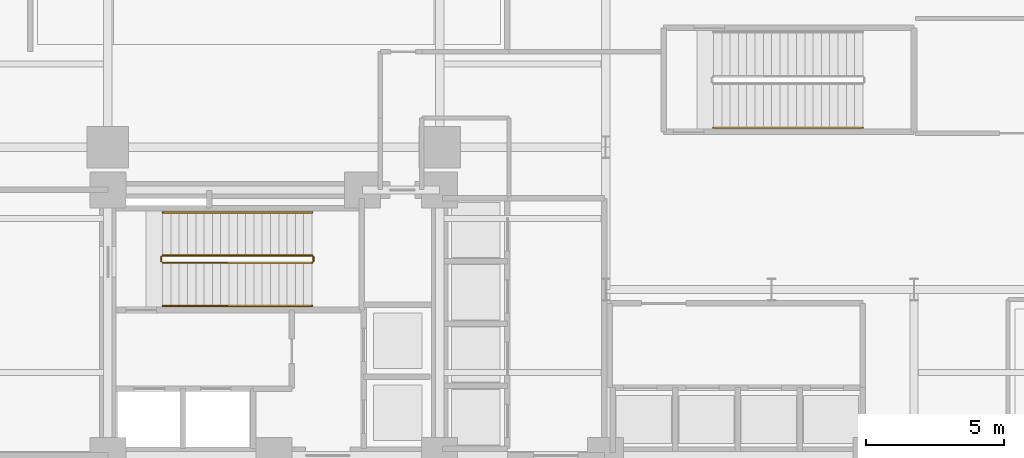
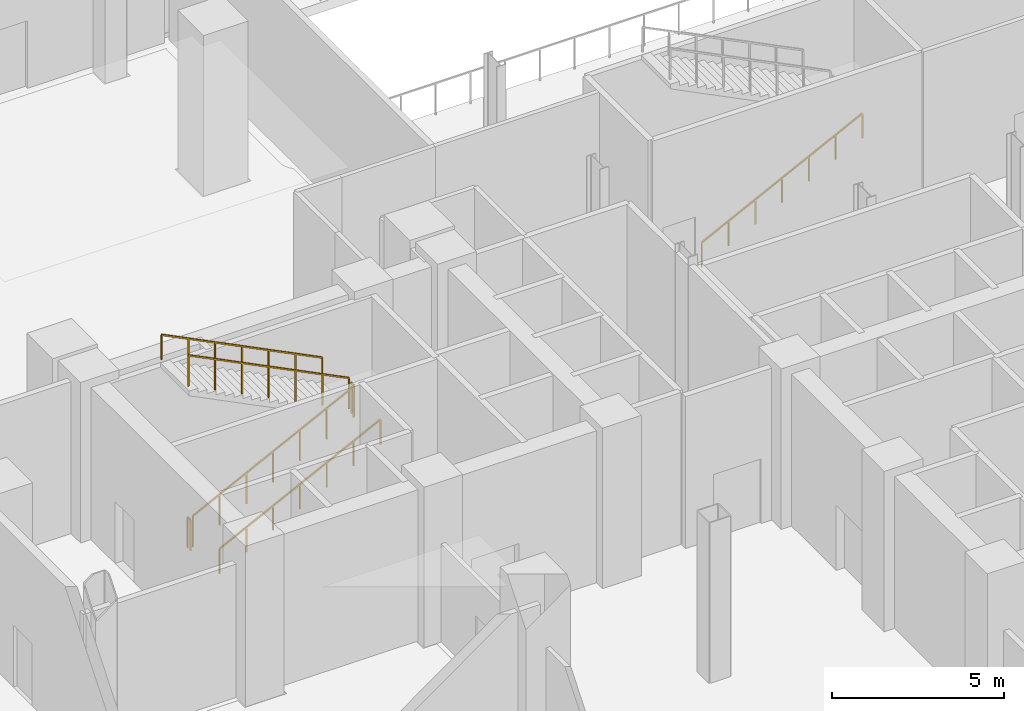
# One storey, part 23 of 27: 7 railings.
"""IFC4 building model written with IfcOpenShell, lengths in metres."""

from ifc_helpers import new_model, si_unit, direction, frame, origin, origin_2d, place, context, subcontext, project, spatial, rectangle, extrude, material, type_object, element, save


model = new_model("IFC4")

# Units and contexts
model_context = context("Model", 3, precision=1e-05, world=origin(), true_north=direction((0.0, 1.0)))
body_context = subcontext(model_context, "Body", "Model", "MODEL_VIEW")
ifc_project = project(units=[si_unit("LENGTHUNIT", "METRE"), si_unit("AREAUNIT", "SQUARE_METRE"), si_unit("VOLUMEUNIT", "CUBIC_METRE"), si_unit("PLANEANGLEUNIT", "RADIAN"), si_unit("MASSUNIT", "GRAM", prefix="KILO"), si_unit("THERMODYNAMICTEMPERATUREUNIT", "KELVIN"), si_unit("POWERUNIT", "WATT")], contexts=[model_context])

# Site, building, storey
site_placement = place(None, origin())
site = spatial("IfcSite", under=ifc_project, at=site_placement, CompositionType="ELEMENT")
building_placement = place(site_placement, origin())
building = spatial("IfcBuilding", under=site, at=building_placement, Name="Svarakhadi Broadcast Tower", CompositionType="ELEMENT")
storey_placement = place(building_placement, origin())
storey = spatial("IfcBuildingStorey", under=building, at=storey_placement, Name="L00", CompositionType="ELEMENT", Elevation=0.0)

# Railings
ifc_material = material(Name="Anodised Bronze Aluminium AA 6063-T6", Category="aluminium")
railing_type_1 = type_object("IfcRailingType", Name="Guard_Stair_GR01", PredefinedType="GUARDRAIL", material=ifc_material)
railing_1_placement = place(storey_placement, frame((7.97998046875, 24.969970703125, 0.14990234375)))
element("IfcRailing", 1, at=railing_1_placement, inside=storey, type_object=railing_type_1, Name="L00 ST-01 stair guard 1", PredefinedType="GUARDRAIL", context=body_context, shape_type="SweptSolid", body=[
    extrude(rectangle(XDim=0.048095703125, YDim=0.048095703125, at=origin_2d()), frame((0.0, 0.0, 1.09619140625), z_axis=(0.894411015155, 0.0, 0.447245945728), x_axis=(0.0, 1.0, 0.0)), (0.0, 0.0, 1.0), 6.037353515625),
    extrude(rectangle(XDim=0.0419921875, YDim=0.0419921875, at=origin_2d()), origin(), (0.0, 0.0, 1.0), 1.072021484375),
    extrude(rectangle(XDim=0.0419921875, YDim=0.0419921875, at=origin_2d()), frame((0.89990234375, 0.0, 0.449951171875)), (0.0, 0.0, 1.0), 1.072021484375),
    extrude(rectangle(XDim=0.0419921875, YDim=0.0419921875, at=origin_2d()), frame((1.800048828125, 0.0, 0.900146484375)), (0.0, 0.0, 1.0), 1.072021484375),
    extrude(rectangle(XDim=0.0419921875, YDim=0.0419921875, at=origin_2d()), frame((2.699951171875, 0.0, 1.35009765625)), (0.0, 0.0, 1.0), 1.072021484375),
    extrude(rectangle(XDim=0.0419921875, YDim=0.0419921875, at=origin_2d()), frame((3.599853515625, 0.0, 1.800048828125)), (0.0, 0.0, 1.0), 1.072021484375),
    extrude(rectangle(XDim=0.0419921875, YDim=0.0419921875, at=origin_2d()), frame((4.5, 0.0, 2.250244140625)), (0.0, 0.0, 1.0), 1.072021484375),
    extrude(rectangle(XDim=0.0419921875, YDim=0.0419921875, at=origin_2d()), frame((5.39990234375, 0.0, 2.7001953125)), (0.0, 0.0, 1.0), 1.072021484375),
])
railing_2_placement = place(storey_placement, frame((13.429931640625, 25.02001953125, 2.85009765625)))
element("IfcRailing", 2, at=railing_2_placement, inside=storey, type_object=railing_type_1, Name="L00 ST-01 stair guard 2", PredefinedType="GUARDRAIL", context=body_context, shape_type="SweptSolid", body=[
    extrude(rectangle(XDim=0.048095703125, YDim=0.048095703125, at=origin_2d()), frame((0.0, 0.0, 1.09619140625), z_axis=(0.0, 1.0, 0.0), x_axis=(-1.0, 0.0, 0.0)), (0.0, 0.0, 1.0), 0.159912109375),
    extrude(rectangle(XDim=0.0419921875, YDim=0.0419921875, at=origin_2d()), origin(), (0.0, 0.0, 1.0), 1.072021484375),
    extrude(rectangle(XDim=0.0419921875, YDim=0.0419921875, at=origin_2d()), frame((0.0, 0.159912109375, 0.0)), (0.0, 0.0, 1.0), 1.072021484375),
])
railing_3_placement = place(storey_placement, frame((13.3798828125, 25.22998046875, 3.0)))
element("IfcRailing", 3, at=railing_3_placement, inside=storey, type_object=railing_type_1, Name="L00 ST-01 stair guard 3", PredefinedType="GUARDRAIL", context=body_context, shape_type="SweptSolid", body=[
    extrude(rectangle(XDim=0.048095703125, YDim=0.048095703125, at=origin_2d()), frame((0.0, 0.0, 1.09619140625), z_axis=(-0.894427191, 0.0, 0.4472135955), x_axis=(0.0, -1.0, 0.0)), (0.0, 0.0, 1.0), 6.037353515625),
    extrude(rectangle(XDim=0.0419921875, YDim=0.0419921875, at=origin_2d()), origin(), (0.0, 0.0, 1.0), 1.072021484375),
    extrude(rectangle(XDim=0.0419921875, YDim=0.0419921875, at=origin_2d()), frame((-0.89990234375, 0.0, 0.449951171875)), (0.0, 0.0, 1.0), 1.072021484375),
    extrude(rectangle(XDim=0.0419921875, YDim=0.0419921875, at=origin_2d()), frame((-1.800048828125, 0.0, 0.89990234375)), (0.0, 0.0, 1.0), 1.072021484375),
    extrude(rectangle(XDim=0.0419921875, YDim=0.0419921875, at=origin_2d()), frame((-2.699951171875, 0.0, 1.35009765625)), (0.0, 0.0, 1.0), 1.072021484375),
    extrude(rectangle(XDim=0.0419921875, YDim=0.0419921875, at=origin_2d()), frame((-3.599853515625, 0.0, 1.800048828125)), (0.0, 0.0, 1.0), 1.072021484375),
    extrude(rectangle(XDim=0.0419921875, YDim=0.0419921875, at=origin_2d()), frame((-4.5, 0.0, 2.25)), (0.0, 0.0, 1.0), 1.072021484375),
    extrude(rectangle(XDim=0.0419921875, YDim=0.0419921875, at=origin_2d()), frame((-5.39990234375, 0.0, 2.699951171875)), (0.0, 0.0, 1.0), 1.072021484375),
])
railing_4_placement = place(storey_placement, frame((7.929931640625, 25.02001953125, 0.0)))
element("IfcRailing", 4, at=railing_4_placement, inside=storey, type_object=railing_type_1, Name="L00 ST-01 stair guard 4", PredefinedType="GUARDRAIL", context=body_context, shape_type="SweptSolid", body=[
    extrude(rectangle(XDim=0.048095703125, YDim=0.048095703125, at=origin_2d()), frame((0.0, 0.0, 1.09619140625), z_axis=(0.0, 1.0, 0.0), x_axis=(-1.0, 0.0, 0.0)), (0.0, 0.0, 1.0), 0.159912109375),
    extrude(rectangle(XDim=0.0419921875, YDim=0.0419921875, at=origin_2d()), origin(), (0.0, 0.0, 1.0), 1.072021484375),
    extrude(rectangle(XDim=0.0419921875, YDim=0.0419921875, at=origin_2d()), frame((0.0, 0.159912109375, 0.0)), (0.0, 0.0, 1.0), 1.072021484375),
])
railing_type_2 = type_object("IfcRailingType", Name="Handrail_Stair_HR01", PredefinedType="HANDRAIL", material=ifc_material)
railing_5_placement = place(storey_placement, frame((7.97998046875, 23.409912109375, 0.14990234375)))
element("IfcRailing", 5, at=railing_5_placement, inside=storey, type_object=railing_type_2, Name="L00 ST-01 stair handrail 1", PredefinedType="HANDRAIL", context=body_context, shape_type="SweptSolid", body=[
    extrude(rectangle(XDim=0.048095703125, YDim=0.048095703125, at=origin_2d()), frame((0.0, 0.0, 0.8759765625), z_axis=(0.894411015155, 0.0, 0.447245945728), x_axis=(0.0, 1.0, 0.0)), (0.0, 0.0, 1.0), 6.037353515625),
    extrude(rectangle(XDim=0.0419921875, YDim=0.0419921875, at=origin_2d()), origin(), (0.0, 0.0, 1.0), 0.851806640625),
    extrude(rectangle(XDim=0.0419921875, YDim=0.0419921875, at=origin_2d()), frame((0.89990234375, 0.0, 0.449951171875)), (0.0, 0.0, 1.0), 0.851806640625),
    extrude(rectangle(XDim=0.0419921875, YDim=0.0419921875, at=origin_2d()), frame((1.800048828125, 0.0, 0.900146484375)), (0.0, 0.0, 1.0), 0.851806640625),
    extrude(rectangle(XDim=0.0419921875, YDim=0.0419921875, at=origin_2d()), frame((2.699951171875, 0.0, 1.35009765625)), (0.0, 0.0, 1.0), 0.851806640625),
    extrude(rectangle(XDim=0.0419921875, YDim=0.0419921875, at=origin_2d()), frame((3.599853515625, 0.0, 1.800048828125)), (0.0, 0.0, 1.0), 0.851806640625),
    extrude(rectangle(XDim=0.0419921875, YDim=0.0419921875, at=origin_2d()), frame((4.5, 0.0, 2.250244140625)), (0.0, 0.0, 1.0), 0.851806640625),
    extrude(rectangle(XDim=0.0419921875, YDim=0.0419921875, at=origin_2d()), frame((5.39990234375, 0.0, 2.7001953125)), (0.0, 0.0, 1.0), 0.851806640625),
])
railing_6_placement = place(storey_placement, frame((13.3798828125, 26.7900390625, 3.0)))
element("IfcRailing", 6, at=railing_6_placement, inside=storey, type_object=railing_type_2, Name="L00 ST-01 stair handrail 2", PredefinedType="HANDRAIL", context=body_context, shape_type="SweptSolid", body=[
    extrude(rectangle(XDim=0.048095703125, YDim=0.048095703125, at=origin_2d()), frame((0.0, 0.0, 0.8759765625), z_axis=(-0.894427191, 0.0, 0.4472135955), x_axis=(0.0, -1.0, 0.0)), (0.0, 0.0, 1.0), 6.037353515625),
    extrude(rectangle(XDim=0.0419921875, YDim=0.0419921875, at=origin_2d()), origin(), (0.0, 0.0, 1.0), 0.851806640625),
    extrude(rectangle(XDim=0.0419921875, YDim=0.0419921875, at=origin_2d()), frame((-0.89990234375, 0.0, 0.449951171875)), (0.0, 0.0, 1.0), 0.851806640625),
    extrude(rectangle(XDim=0.0419921875, YDim=0.0419921875, at=origin_2d()), frame((-1.800048828125, 0.0, 0.89990234375)), (0.0, 0.0, 1.0), 0.851806640625),
    extrude(rectangle(XDim=0.0419921875, YDim=0.0419921875, at=origin_2d()), frame((-2.699951171875, 0.0, 1.35009765625)), (0.0, 0.0, 1.0), 0.851806640625),
    extrude(rectangle(XDim=0.0419921875, YDim=0.0419921875, at=origin_2d()), frame((-3.599853515625, 0.0, 1.800048828125)), (0.0, 0.0, 1.0), 0.851806640625),
    extrude(rectangle(XDim=0.0419921875, YDim=0.0419921875, at=origin_2d()), frame((-4.5, 0.0, 2.25)), (0.0, 0.0, 1.0), 0.851806640625),
    extrude(rectangle(XDim=0.0419921875, YDim=0.0419921875, at=origin_2d()), frame((-5.39990234375, 0.0, 2.699951171875)), (0.0, 0.0, 1.0), 0.851806640625),
])
railing_7_placement = place(storey_placement, frame((27.89990234375, 29.85009765625, 0.14990234375)))
element("IfcRailing", 7, at=railing_7_placement, inside=storey, type_object=railing_type_2, Name="L00 ST-03 stair handrail 1", PredefinedType="HANDRAIL", context=body_context, shape_type="SweptSolid", body=[
    extrude(rectangle(XDim=0.048095703125, YDim=0.048095703125, at=origin_2d()), frame((0.0, 0.0, 0.8759765625), z_axis=(0.894419103516, 0.0, 0.447229770102), x_axis=(0.0, 1.0, 0.0)), (0.0, 0.0, 1.0), 6.03759765625),
    extrude(rectangle(XDim=0.0419921875, YDim=0.0419921875, at=origin_2d()), origin(), (0.0, 0.0, 1.0), 0.851806640625),
    extrude(rectangle(XDim=0.0419921875, YDim=0.0419921875, at=origin_2d()), frame((0.89990234375, 0.0, 0.449951171875)), (0.0, 0.0, 1.0), 0.851806640625),
    extrude(rectangle(XDim=0.0419921875, YDim=0.0419921875, at=origin_2d()), frame((1.800048828125, 0.0, 0.900146484375)), (0.0, 0.0, 1.0), 0.851806640625),
    extrude(rectangle(XDim=0.0419921875, YDim=0.0419921875, at=origin_2d()), frame((2.7001953125, 0.0, 1.35009765625)), (0.0, 0.0, 1.0), 0.851806640625),
    extrude(rectangle(XDim=0.0419921875, YDim=0.0419921875, at=origin_2d()), frame((3.60009765625, 0.0, 1.800048828125)), (0.0, 0.0, 1.0), 0.851806640625),
    extrude(rectangle(XDim=0.0419921875, YDim=0.0419921875, at=origin_2d()), frame((4.5, 0.0, 2.250244140625)), (0.0, 0.0, 1.0), 0.851806640625),
    extrude(rectangle(XDim=0.0419921875, YDim=0.0419921875, at=origin_2d()), frame((5.400146484375, 0.0, 2.7001953125)), (0.0, 0.0, 1.0), 0.851806640625),
])

save(model, "model.ifc")
